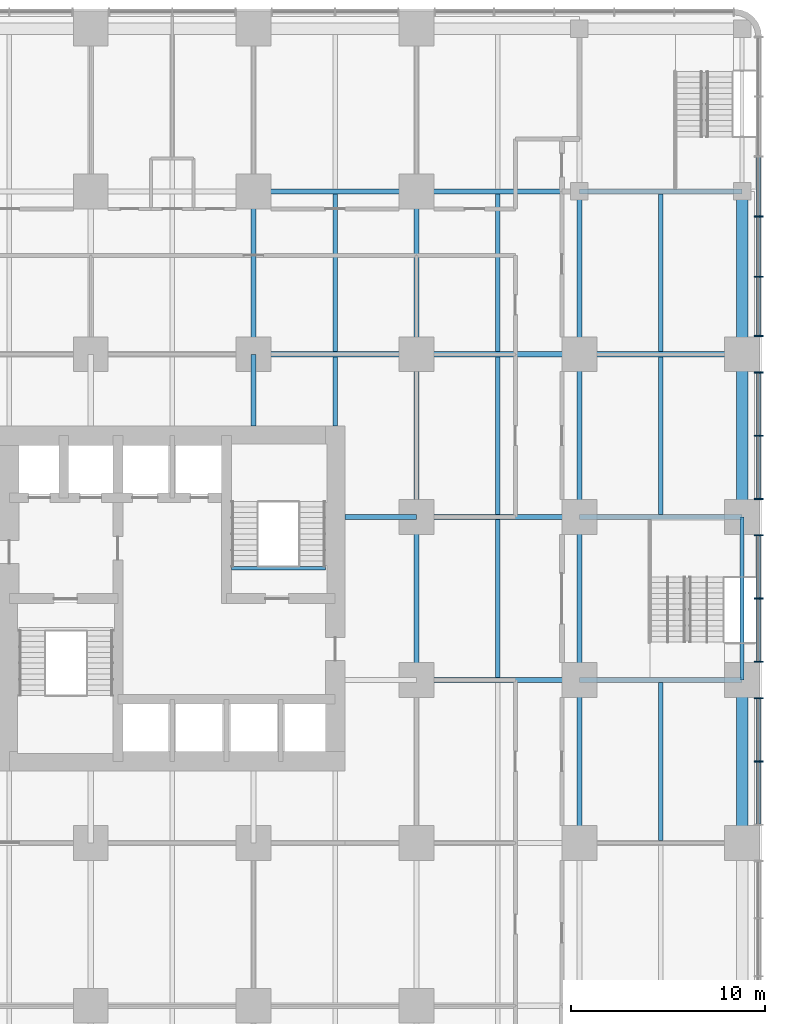
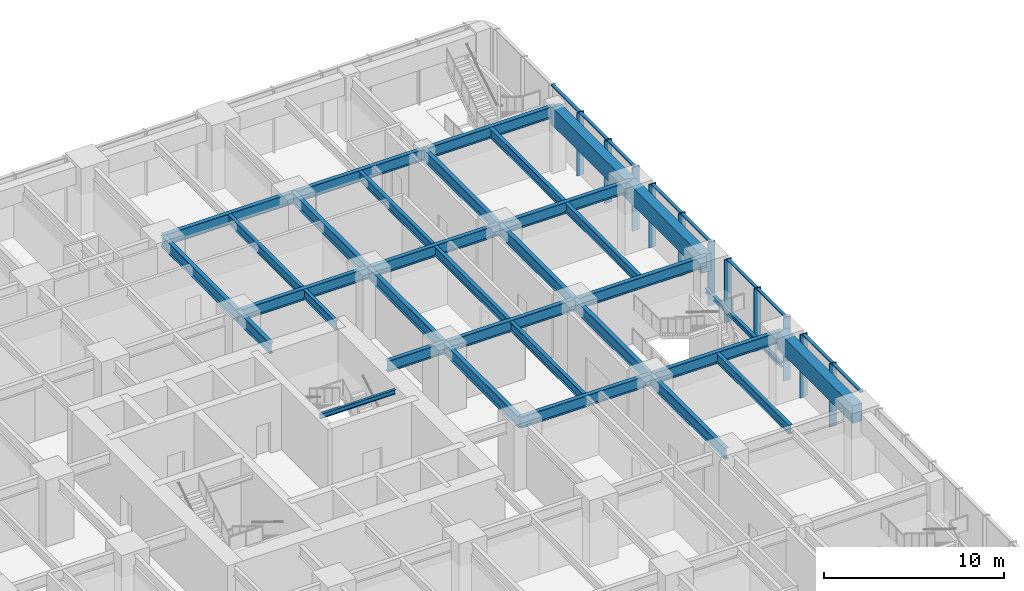
# One storey, part 6 of 20: 33 beams, 20 members, 1 element without a shape of its own.
"""IFC4 building model written with IfcOpenShell, lengths in metres."""

import ifcopenshell
import ifcopenshell.guid

model = None  # the IFC model being written
_history = None  # IfcOwnerHistory: only IFC2X3 demands one
_inside = {}  # id of a spatial element -> (the spatial element, [elements in it])
_under = {}  # id of a project, library or spatial element -> (it, [spatial elements below it])
_declared = {}  # id of a project -> (the project, [libraries it declares])
_typed = {}  # id of a type object -> (the type object, [elements of that type])
_made_of = {}  # id of a material, layer set ... -> (it, [elements and type objects made of it])


def new_model(schema):
    """Start an empty IFC model of exactly this schema.

    Asked for "IFC4X3", IfcOpenShell would pick the latest addendum, in which some entities
    have other attributes; the version numbers below select the first issue.
    IFC2X3 requires an IfcOwnerHistory on every rooted entity: one is made here for all.
    """
    global model, _history
    if schema == "IFC4X3":
        model = ifcopenshell.file(schema_version=(4, 3, 0, 0))
    else:
        model = ifcopenshell.file(schema=schema)
    _inside.clear()
    _under.clear()
    _declared.clear()
    _typed.clear()
    _made_of.clear()
    _history = None
    if model.schema == "IFC2X3":
        org = make("IfcOrganization", Name="unknown")
        user = make(
            "IfcPersonAndOrganization",
            ThePerson=make("IfcPerson", FamilyName="unknown"),
            TheOrganization=org,
        )
        app = make(
            "IfcApplication",
            ApplicationDeveloper=org,
            Version="unknown",
            ApplicationFullName="unknown",
            ApplicationIdentifier="unknown",
        )
        _history = make(
            "IfcOwnerHistory",
            OwningUser=user,
            OwningApplication=app,
            ChangeAction="ADDED",
            CreationDate=0,
        )
    return model


def make(cls, **values):
    """One entity of the class cls with the attributes given. An attribute that is None is left unset."""
    return model.create_entity(
        cls, **{name: value for name, value in values.items() if value is not None}
    )


def rooted(cls, **values):
    """An entity with a GlobalId (a new one), such as an element, a storey or a relation."""
    return make(cls, GlobalId=ifcopenshell.guid.new(), OwnerHistory=_history, **values)


def si_unit(unit_type, name, prefix=None):
    """IfcSIUnit, for example si_unit("LENGTHUNIT", "METRE", prefix="MILLI")."""
    return make("IfcSIUnit", UnitType=unit_type, Prefix=prefix, Name=name)


def assignment(units):
    """IfcUnitAssignment: the units of a project."""
    return None if units is None else make("IfcUnitAssignment", Units=units)


def point(xyz):
    """IfcCartesianPoint."""
    return None if xyz is None else make("IfcCartesianPoint", Coordinates=xyz)


def direction(xyz):
    """IfcDirection."""
    return None if xyz is None else make("IfcDirection", DirectionRatios=xyz)


def frame(location, z_axis=None, x_axis=None):
    """IfcAxis2Placement3D, a coordinate frame: its origin and axes. An axis left out is left unset."""
    return make(
        "IfcAxis2Placement3D",
        Location=point(location),
        Axis=direction(z_axis),
        RefDirection=direction(x_axis),
    )


def frame_2d(location, x_axis=None):
    """IfcAxis2Placement2D, a coordinate frame in the plane: its origin and x axis."""
    return make(
        "IfcAxis2Placement2D", Location=point(location), RefDirection=direction(x_axis)
    )


def origin():
    """The frame at (0, 0, 0) with its axes left unset."""
    return frame((0.0, 0.0, 0.0))


def origin_2d():
    """The frame at (0, 0) in the plane with its x axis left unset."""
    return frame_2d((0.0, 0.0))


def place(relative_to, where):
    """IfcLocalPlacement: puts the frame where relative to a parent placement (None: the world)."""
    return make(
        "IfcLocalPlacement", PlacementRelTo=relative_to, RelativePlacement=where
    )


def context(
    kind, dimensions, precision=None, world=None, true_north=None, identifier=None
):
    """IfcGeometricRepresentationContext, for example the 3D "Model" context."""
    return make(
        "IfcGeometricRepresentationContext",
        ContextIdentifier=identifier,
        ContextType=kind,
        CoordinateSpaceDimension=dimensions,
        Precision=precision,
        WorldCoordinateSystem=world,
        TrueNorth=true_north,
    )


def subcontext(parent, identifier, kind, view, scale=None):
    """IfcGeometricRepresentationSubContext, for example "Body" below "Model"."""
    return make(
        "IfcGeometricRepresentationSubContext",
        ContextIdentifier=identifier,
        ContextType=kind,
        ParentContext=parent,
        TargetScale=scale,
        TargetView=view,
    )


def project(units=None, contexts=None):
    """IfcProject with its units and contexts."""
    return rooted(
        "IfcProject",
        Name="project",
        RepresentationContexts=contexts,
        UnitsInContext=assignment(units),
    )


def spatial(cls, under=None, at=None, **own):
    """A site, building, storey or space (cls), placed at a placement, below another one or the project."""
    s = rooted(cls, ObjectPlacement=at, **own)
    if under is not None:
        _under.setdefault(under.id(), (under, []))[1].append(s)
    return s


def profile(cls, at=None, kind="AREA", **sizes):
    """A parametric profile (cls). Its sizes go by their IFC names, for example OverallWidth=200.0."""
    return make(cls, ProfileType=kind, Position=at, **sizes)


def rectangle(**sizes):
    """IfcRectangleProfileDef."""
    return profile("IfcRectangleProfileDef", **sizes)


def i_section(**sizes):
    """IfcIShapeProfileDef."""
    return profile("IfcIShapeProfileDef", **sizes)


def extrude(swept, where, along, depth):
    """IfcExtrudedAreaSolid: the profile swept, set in the frame where, extruded along a direction by depth."""
    return make(
        "IfcExtrudedAreaSolid",
        SweptArea=swept,
        Position=where,
        ExtrudedDirection=direction(along),
        Depth=depth,
    )


def shape(context_of_items, identifier, shape_type, items):
    """IfcShapeRepresentation: the items that make up one representation, for example the "Body"."""
    return make(
        "IfcShapeRepresentation",
        ContextOfItems=context_of_items,
        RepresentationIdentifier=identifier,
        RepresentationType=shape_type,
        Items=items,
    )


def material(Name=None, Category=None):
    """IfcMaterial."""
    return make("IfcMaterial", Name=Name, Category=Category)


def material_profile(
    of_material, cross_section, Name=None, Category=None, Priority=None
):
    """IfcMaterialProfile: a cross section and its material."""
    return make(
        "IfcMaterialProfile",
        Name=Name,
        Material=of_material,
        Profile=cross_section,
        Priority=Priority,
        Category=Category,
    )


def profile_set(profiles, Name=None, composite=None):
    """IfcMaterialProfileSet."""
    return make(
        "IfcMaterialProfileSet",
        Name=Name,
        MaterialProfiles=profiles,
        CompositeProfile=composite,
    )


def made_of(thing, what):
    """Note that an element or type object is made of a material, layer set ...; save() writes the relation."""
    if what is not None:
        _made_of.setdefault(what.id(), (what, []))[1].append(thing)
    return thing


def type_object(cls, material=None, **own):
    """A type object (cls), such as IfcWallType, which elements share."""
    return made_of(rooted(cls, **own), material)


def element(
    cls,
    number,
    at=None,
    inside=None,
    cuts=None,
    type_object=None,
    material=None,
    context=None,
    identifier="Body",
    shape_type=None,
    held_by="IfcProductDefinitionShape",
    body=None,
    shapes=None,
    **own,
):
    """One element of the class cls, such as IfcWall. Its Tag is "e" and its number.

    at: its placement. inside: the storey or other place that contains it. cuts: it is an
    opening in that element (IfcRelVoidsElement). A single representation is given by context,
    identifier, shape_type and body (its items); several are given by shapes. held_by: the class
    of the entity that holds the representations. save() writes the other relations.
    """
    e = rooted(cls, Tag="e%d" % number, ObjectPlacement=at, **own)
    if body is not None:
        shapes = [shape(context, identifier, shape_type, body)]
    if shapes is not None:
        e.Representation = make(held_by, Representations=shapes)
    if inside is not None:
        _inside.setdefault(inside.id(), (inside, []))[1].append(e)
    if cuts is not None:
        rooted(
            "IfcRelVoidsElement", RelatingBuildingElement=cuts, RelatedOpeningElement=e
        )
    if type_object is not None:
        _typed.setdefault(type_object.id(), (type_object, []))[1].append(e)
    return made_of(e, material)


def aggregate(whole, parts):
    """IfcRelAggregates: a whole, such as a stair, and the parts it consists of."""
    return rooted("IfcRelAggregates", RelatingObject=whole, RelatedObjects=parts)


def save(model, path):
    """Write the relations noted so far, then the file.

    IfcRelAggregates (storeys below a building ...), IfcRelContainedInSpatialStructure (elements
    in a storey), IfcRelDefinesByType, IfcRelAssociatesMaterial and IfcRelDeclares: one each for
    every whole, place, type object, material and project.
    """
    for whole, parts in _under.values():
        aggregate(whole, parts)
    for where, things in _inside.values():
        rooted(
            "IfcRelContainedInSpatialStructure",
            RelatedElements=things,
            RelatingStructure=where,
        )
    for kind, things in _typed.values():
        rooted("IfcRelDefinesByType", RelatedObjects=things, RelatingType=kind)
    for what, things in _made_of.values():
        rooted("IfcRelAssociatesMaterial", RelatedObjects=things, RelatingMaterial=what)
    for by, libraries in _declared.values():
        rooted("IfcRelDeclares", RelatingContext=by, RelatedDefinitions=libraries)
    model.write(path)


model = new_model("IFC4")

# Units and contexts
model_context = context("Model", 3, precision=1e-05, world=origin(), true_north=direction((0.0, 1.0)))
body_context = subcontext(model_context, "Body", "Model", "MODEL_VIEW")
ifc_project = project(units=[si_unit("LENGTHUNIT", "METRE"), si_unit("AREAUNIT", "SQUARE_METRE"), si_unit("VOLUMEUNIT", "CUBIC_METRE"), si_unit("PLANEANGLEUNIT", "RADIAN"), si_unit("MASSUNIT", "GRAM", prefix="KILO")], contexts=[model_context])

# Site, building, storey
site_placement = place(None, origin())
site = spatial("IfcSite", under=ifc_project, at=site_placement, CompositionType="ELEMENT")
building_placement = place(site_placement, origin())
building = spatial("IfcBuilding", under=site, at=building_placement, Name="Torre Alcanfor", CompositionType="ELEMENT")
storey_placement = place(building_placement, frame((0.0, 0.0, 10.5)))
storey = spatial("IfcBuildingStorey", under=building, at=storey_placement, Name="L02", CompositionType="ELEMENT", Elevation=10.5)

# Curtain wall, members
ifc_material_1 = material(Name="Aluminium and glass", Category="aluminium")
curtain_wall_type = type_object("IfcCurtainWallType", Name="CW-B unitised classroom glazing with vertical FIN", PredefinedType="NOTDEFINED", material=ifc_material_1)
curtain_wall_placement = place(storey_placement, origin())
curtain_wall = element("IfcCurtainWall", 1, at=curtain_wall_placement, inside=storey, type_object=curtain_wall_type, Name="Curtain wall CW-B L02 1", PredefinedType="NOTDEFINED")
ifc_material_2 = material(Name="Bronze anodised aluminium", Category="aluminium")
ifc_material_profile_1 = material_profile(ifc_material_2, rectangle(XDim=0.449951171875, YDim=0.06494140625, at=origin_2d()), Name="CW-B mullion 65x450")
ifc_profile_set_1 = profile_set([ifc_material_profile_1], Name="Bronze anodised aluminium")
member_type_1 = type_object("IfcMemberType", Name="CW-B mullion with vertical FIN 65x450", PredefinedType="MULLION", material=ifc_profile_set_1)
member_1_placement = place(storey_placement, frame((59.64990234375, 21.0, 0.0), z_axis=(0.0, 0.0, 1.0), x_axis=(-1.0, 0.0, 0.0)))
member_1 = element("IfcMember", 2, at=member_1_placement, type_object=member_type_1, Name="CW-B mullion 2.2", PredefinedType="MULLION", context=body_context, shape_type="SweptSolid", body=[
    extrude(rectangle(XDim=0.449951171875, YDim=0.06494140625, at=origin_2d()), origin(), (0.0, 0.0, 1.0), 4.300048828125),
])
member_2_placement = place(storey_placement, frame((59.64990234375, 24.262451171875, 0.0), z_axis=(0.0, 0.0, 1.0), x_axis=(-1.0, 0.0, 0.0)))
member_2 = element("IfcMember", 3, at=member_2_placement, type_object=member_type_1, Name="CW-B mullion 2.3", PredefinedType="MULLION", context=body_context, shape_type="SweptSolid", body=[
    extrude(rectangle(XDim=0.449951171875, YDim=0.06494140625, at=origin_2d()), origin(), (0.0, 0.0, 1.0), 4.300048828125),
])
member_3_placement = place(storey_placement, frame((59.64990234375, 26.137451171875, 0.0), z_axis=(0.0, 0.0, 1.0), x_axis=(-1.0, 0.0, 0.0)))
member_3 = element("IfcMember", 4, at=member_3_placement, type_object=member_type_1, Name="CW-B mullion 3.1", PredefinedType="MULLION", context=body_context, shape_type="SweptSolid", body=[
    extrude(rectangle(XDim=0.449951171875, YDim=0.06494140625, at=origin_2d()), origin(), (0.0, 0.0, 1.0), 4.300048828125),
])
member_4_placement = place(storey_placement, frame((59.64990234375, 29.39990234375, 0.0), z_axis=(0.0, 0.0, 1.0), x_axis=(-1.0, 0.0, 0.0)))
member_4 = element("IfcMember", 5, at=member_4_placement, type_object=member_type_1, Name="CW-B mullion 3.2", PredefinedType="MULLION", context=body_context, shape_type="SweptSolid", body=[
    extrude(rectangle(XDim=0.449951171875, YDim=0.06494140625, at=origin_2d()), origin(), (0.0, 0.0, 1.0), 4.300048828125),
])
member_5_placement = place(storey_placement, frame((59.64990234375, 32.66259765625, 0.0), z_axis=(0.0, 0.0, 1.0), x_axis=(-1.0, 0.0, 0.0)))
member_5 = element("IfcMember", 6, at=member_5_placement, type_object=member_type_1, Name="CW-B mullion 3.3", PredefinedType="MULLION", context=body_context, shape_type="SweptSolid", body=[
    extrude(rectangle(XDim=0.449951171875, YDim=0.06494140625, at=origin_2d()), origin(), (0.0, 0.0, 1.0), 4.300048828125),
])
member_6_placement = place(storey_placement, frame((59.64990234375, 34.53759765625, 0.0), z_axis=(0.0, 0.0, 1.0), x_axis=(-1.0, 0.0, 0.0)))
member_6 = element("IfcMember", 7, at=member_6_placement, type_object=member_type_1, Name="CW-B mullion 4.1", PredefinedType="MULLION", context=body_context, shape_type="SweptSolid", body=[
    extrude(rectangle(XDim=0.449951171875, YDim=0.06494140625, at=origin_2d()), origin(), (0.0, 0.0, 1.0), 4.300048828125),
])
member_7_placement = place(storey_placement, frame((59.64990234375, 37.800048828125, 0.0), z_axis=(0.0, 0.0, 1.0), x_axis=(-1.0, 0.0, 0.0)))
member_7 = element("IfcMember", 8, at=member_7_placement, type_object=member_type_1, Name="CW-B mullion 4.2", PredefinedType="MULLION", context=body_context, shape_type="SweptSolid", body=[
    extrude(rectangle(XDim=0.449951171875, YDim=0.06494140625, at=origin_2d()), origin(), (0.0, 0.0, 1.0), 4.300048828125),
])
member_8_placement = place(storey_placement, frame((59.64990234375, 41.0625, 0.0), z_axis=(0.0, 0.0, 1.0), x_axis=(-1.0, 0.0, 0.0)))
member_8 = element("IfcMember", 9, at=member_8_placement, type_object=member_type_1, Name="CW-B mullion 4.3", PredefinedType="MULLION", context=body_context, shape_type="SweptSolid", body=[
    extrude(rectangle(XDim=0.449951171875, YDim=0.06494140625, at=origin_2d()), origin(), (0.0, 0.0, 1.0), 4.300048828125),
])
member_9_placement = place(storey_placement, frame((59.64990234375, 42.9375, 0.0), z_axis=(0.0, 0.0, 1.0), x_axis=(-1.0, 0.0, 0.0)))
member_9 = element("IfcMember", 10, at=member_9_placement, type_object=member_type_1, Name="CW-B mullion 5.1", PredefinedType="MULLION", context=body_context, shape_type="SweptSolid", body=[
    extrude(rectangle(XDim=0.449951171875, YDim=0.06494140625, at=origin_2d()), origin(), (0.0, 0.0, 1.0), 4.300048828125),
])
member_10_placement = place(storey_placement, frame((59.64990234375, 46.00390625, 0.0), z_axis=(0.0, 0.0, 1.0), x_axis=(-1.0, 0.0, 0.0)))
member_10 = element("IfcMember", 11, at=member_10_placement, type_object=member_type_1, Name="CW-B mullion 5.2", PredefinedType="MULLION", context=body_context, shape_type="SweptSolid", body=[
    extrude(rectangle(XDim=0.449951171875, YDim=0.06494140625, at=origin_2d()), origin(), (0.0, 0.0, 1.0), 4.300048828125),
])
member_11_placement = place(storey_placement, frame((59.64990234375, 49.10302734375, 0.0), z_axis=(0.0, 0.0, 1.0), x_axis=(-1.0, 0.0, 0.0)))
member_11 = element("IfcMember", 12, at=member_11_placement, type_object=member_type_1, Name="CW-B mullion 5.3", PredefinedType="MULLION", context=body_context, shape_type="SweptSolid", body=[
    extrude(rectangle(XDim=0.449951171875, YDim=0.06494140625, at=origin_2d()), origin(), (0.0, 0.0, 1.0), 4.300048828125),
])
ifc_material_3 = material(Name="Extruded aluminium", Category="aluminium")
ifc_material_profile_2 = material_profile(ifc_material_3, rectangle(XDim=0.199951171875, YDim=0.06494140625, at=origin_2d()), Name="CW-B transom 200x65")
ifc_profile_set_2 = profile_set([ifc_material_profile_2], Name="Extruded aluminium")
member_type_2 = type_object("IfcMemberType", Name="CW-B transom 65x200", PredefinedType="USERDEFINED", material=ifc_profile_set_2)
member_12_placement = place(storey_placement, frame((59.64990234375, 17.77001953125, 4.267578125), z_axis=(0.0, 1.0, 0.0), x_axis=(-1.0, 0.0, 0.0)))
member_12 = element("IfcMember", 13, at=member_12_placement, type_object=member_type_2, Name="CW-B transom 2.1.2", ObjectType="TRANSOM", PredefinedType="USERDEFINED", context=body_context, shape_type="SweptSolid", body=[
    extrude(rectangle(XDim=0.199951171875, YDim=0.06494140625, at=origin_2d()), origin(), (0.0, 0.0, 1.0), 3.197509765625),
])
member_13_placement = place(storey_placement, frame((59.64990234375, 21.032470703125, 4.267578125), z_axis=(0.0, 1.0, 0.0), x_axis=(-1.0, 0.0, 0.0)))
member_13 = element("IfcMember", 14, at=member_13_placement, type_object=member_type_2, Name="CW-B transom 2.2.2", ObjectType="TRANSOM", PredefinedType="USERDEFINED", context=body_context, shape_type="SweptSolid", body=[
    extrude(rectangle(XDim=0.199951171875, YDim=0.06494140625, at=origin_2d()), origin(), (0.0, 0.0, 1.0), 3.197509765625),
])
member_14_placement = place(storey_placement, frame((59.64990234375, 26.169921875, 4.267578125), z_axis=(0.0, 1.0, 0.0), x_axis=(-1.0, 0.0, 0.0)))
member_14 = element("IfcMember", 15, at=member_14_placement, type_object=member_type_2, Name="CW-B transom 3.1.2", ObjectType="TRANSOM", PredefinedType="USERDEFINED", context=body_context, shape_type="SweptSolid", body=[
    extrude(rectangle(XDim=0.199951171875, YDim=0.06494140625, at=origin_2d()), origin(), (0.0, 0.0, 1.0), 3.197509765625),
])
member_15_placement = place(storey_placement, frame((59.64990234375, 29.4326171875, 4.267578125), z_axis=(0.0, 1.0, 0.0), x_axis=(-1.0, 0.0, 0.0)))
member_15 = element("IfcMember", 16, at=member_15_placement, type_object=member_type_2, Name="CW-B transom 3.2.2", ObjectType="TRANSOM", PredefinedType="USERDEFINED", context=body_context, shape_type="SweptSolid", body=[
    extrude(rectangle(XDim=0.199951171875, YDim=0.06494140625, at=origin_2d()), origin(), (0.0, 0.0, 1.0), 3.197265625),
])
member_16_placement = place(storey_placement, frame((59.64990234375, 34.570068359375, 4.267578125), z_axis=(0.0, 1.0, 0.0), x_axis=(-1.0, 0.0, 0.0)))
member_16 = element("IfcMember", 17, at=member_16_placement, type_object=member_type_2, Name="CW-B transom 4.1.2", ObjectType="TRANSOM", PredefinedType="USERDEFINED", context=body_context, shape_type="SweptSolid", body=[
    extrude(rectangle(XDim=0.199951171875, YDim=0.06494140625, at=origin_2d()), origin(), (0.0, 0.0, 1.0), 3.197509765625),
])
member_17_placement = place(storey_placement, frame((59.64990234375, 37.83251953125, 4.267578125), z_axis=(0.0, 1.0, 0.0), x_axis=(-1.0, 0.0, 0.0)))
member_17 = element("IfcMember", 18, at=member_17_placement, type_object=member_type_2, Name="CW-B transom 4.2.2", ObjectType="TRANSOM", PredefinedType="USERDEFINED", context=body_context, shape_type="SweptSolid", body=[
    extrude(rectangle(XDim=0.199951171875, YDim=0.06494140625, at=origin_2d()), origin(), (0.0, 0.0, 1.0), 3.197509765625),
])
member_18_placement = place(storey_placement, frame((59.64990234375, 42.969970703125, 4.267578125), z_axis=(0.0, 1.0, 0.0), x_axis=(-1.0, 0.0, 0.0)))
member_18 = element("IfcMember", 19, at=member_18_placement, type_object=member_type_2, Name="CW-B transom 5.1.2", ObjectType="TRANSOM", PredefinedType="USERDEFINED", context=body_context, shape_type="SweptSolid", body=[
    extrude(rectangle(XDim=0.199951171875, YDim=0.06494140625, at=origin_2d()), origin(), (0.0, 0.0, 1.0), 3.00146484375),
])
member_19_placement = place(storey_placement, frame((59.64990234375, 46.03662109375, 4.267578125), z_axis=(0.0, 1.0, 0.0), x_axis=(-1.0, 0.0, 0.0)))
member_19 = element("IfcMember", 20, at=member_19_placement, type_object=member_type_2, Name="CW-B transom 5.2.2", ObjectType="TRANSOM", PredefinedType="USERDEFINED", context=body_context, shape_type="SweptSolid", body=[
    extrude(rectangle(XDim=0.199951171875, YDim=0.06494140625, at=origin_2d()), origin(), (0.0, 0.0, 1.0), 3.033935546875),
])
member_20_placement = place(storey_placement, frame((59.64990234375, 49.135498046875, 4.267578125), z_axis=(0.0, 1.0, 0.0), x_axis=(-1.0, 0.0, 0.0)))
member_20 = element("IfcMember", 21, at=member_20_placement, type_object=member_type_2, Name="CW-B transom 5.3.2", ObjectType="TRANSOM", PredefinedType="USERDEFINED", context=body_context, shape_type="SweptSolid", body=[
    extrude(rectangle(XDim=0.199951171875, YDim=0.06494140625, at=origin_2d()), origin(), (0.0, 0.0, 1.0), 3.033935546875),
])
aggregate(curtain_wall, [member_1, member_2, member_12, member_13, member_3, member_4, member_5, member_14, member_15, member_6, member_7, member_8, member_16, member_17, member_9, member_10, member_11, member_18, member_19, member_20])

# Beams
ifc_material_4 = material(Name="Steel ASTM A992 Grade 50", Category="steel")
ifc_material_profile_3 = material_profile(ifc_material_4, i_section(OverallWidth=0.2666015625, OverallDepth=0.7568359375, WebThickness=0.013916015625, FlangeThickness=0.019287109375, at=origin_2d()), Name="W30x108")
ifc_profile_set_3 = profile_set([ifc_material_profile_3], Name="Steel ASTM A992 Grade 50")
beam_type_1 = type_object("IfcBeamType", Name="Girder W30x108", PredefinedType="BEAM", material=ifc_profile_set_3)
beam_1_placement = place(storey_placement, frame((42.0, 25.199951171875, 3.921630859375), z_axis=(1.0, 0.0, 0.0), x_axis=(0.0, 1.0, 0.0)))
element("IfcBeam", 22, at=beam_1_placement, inside=storey, type_object=beam_type_1, Name="Beam 6F-7F under L03", PredefinedType="BEAM", context=body_context, shape_type="SweptSolid", body=[
    extrude(i_section(OverallWidth=0.2666015625, OverallDepth=0.7568359375, WebThickness=0.013916015625, FlangeThickness=0.019287109375, at=origin_2d()), origin(), (0.0, 0.0, 1.0), 8.39990234375),
])
beam_2_placement = place(storey_placement, frame((50.39990234375, 25.199951171875, 3.921630859375), z_axis=(1.0, 0.0, 0.0), x_axis=(0.0, 1.0, 0.0)))
element("IfcBeam", 23, at=beam_2_placement, inside=storey, type_object=beam_type_1, Name="Beam 7F-8F under L03", PredefinedType="BEAM", context=body_context, shape_type="SweptSolid", body=[
    extrude(i_section(OverallWidth=0.2666015625, OverallDepth=0.7568359375, WebThickness=0.013916015625, FlangeThickness=0.019287109375, at=origin_2d()), origin(), (0.0, 0.0, 1.0), 8.400146484375),
])
beam_3_placement = place(storey_placement, frame((42.0, 33.60009765625, 3.921630859375), z_axis=(1.0, 0.0, 0.0), x_axis=(0.0, 1.0, 0.0)))
element("IfcBeam", 24, at=beam_3_placement, inside=storey, type_object=beam_type_1, Name="Beam 6G-7G under L03", PredefinedType="BEAM", context=body_context, shape_type="SweptSolid", body=[
    extrude(i_section(OverallWidth=0.2666015625, OverallDepth=0.7568359375, WebThickness=0.013916015625, FlangeThickness=0.019287109375, at=origin_2d()), origin(), (0.0, 0.0, 1.0), 8.39990234375),
])
beam_4_placement = place(storey_placement, frame((50.39990234375, 33.60009765625, 3.921630859375), z_axis=(1.0, 0.0, 0.0), x_axis=(0.0, 1.0, 0.0)))
element("IfcBeam", 25, at=beam_4_placement, inside=storey, type_object=beam_type_1, Name="Beam 7G-8G under L03", PredefinedType="BEAM", context=body_context, shape_type="SweptSolid", body=[
    extrude(i_section(OverallWidth=0.2666015625, OverallDepth=0.7568359375, WebThickness=0.013916015625, FlangeThickness=0.019287109375, at=origin_2d()), origin(), (0.0, 0.0, 1.0), 8.400146484375),
])
for number, where, z_axis, x_axis, name in (
    (26, (33.60009765625, 42.0, 3.921630859375), (1.0, 0.0, 0.0), (0.0, 1.0, 0.0), "Beam 5H-6H under L03"),
    (27, (42.0, 42.0, 3.921630859375), (1.0, 0.0, 0.0), (0.0, 1.0, 0.0), "Beam 6H-7H under L03"),
):
    element("IfcBeam", number, at=place(storey_placement, frame(where, z_axis=z_axis, x_axis=x_axis)), inside=storey, type_object=beam_type_1, Name=name, PredefinedType="BEAM", context=body_context, shape_type="SweptSolid", body=[
        extrude(i_section(OverallWidth=0.2666015625, OverallDepth=0.7568359375, WebThickness=0.013916015625, FlangeThickness=0.019287109375, at=origin_2d()), origin(), (0.0, 0.0, 1.0), 8.39990234375),
    ])
beam_5_placement = place(storey_placement, frame((50.39990234375, 42.0, 3.921630859375), z_axis=(1.0, 0.0, 0.0), x_axis=(0.0, 1.0, 0.0)))
element("IfcBeam", 28, at=beam_5_placement, inside=storey, type_object=beam_type_1, Name="Beam 7H-8H under L03", PredefinedType="BEAM", context=body_context, shape_type="SweptSolid", body=[
    extrude(i_section(OverallWidth=0.2666015625, OverallDepth=0.7568359375, WebThickness=0.013916015625, FlangeThickness=0.019287109375, at=origin_2d()), origin(), (0.0, 0.0, 1.0), 8.400146484375),
])
for number, where, z_axis, x_axis, name in (
    (29, (33.60009765625, 50.39990234375, 3.921630859375), (1.0, 0.0, 0.0), (0.0, 1.0, 0.0), "Beam 5J-6J under L03"),
    (30, (42.0, 50.39990234375, 3.921630859375), (1.0, 0.0, 0.0), (0.0, 1.0, 0.0), "Beam 6J-7J under L03"),
):
    element("IfcBeam", number, at=place(storey_placement, frame(where, z_axis=z_axis, x_axis=x_axis)), inside=storey, type_object=beam_type_1, Name=name, PredefinedType="BEAM", context=body_context, shape_type="SweptSolid", body=[
        extrude(i_section(OverallWidth=0.2666015625, OverallDepth=0.7568359375, WebThickness=0.013916015625, FlangeThickness=0.019287109375, at=origin_2d()), origin(), (0.0, 0.0, 1.0), 8.39990234375),
    ])
beam_6_placement = place(storey_placement, frame((50.39990234375, 50.39990234375, 3.921630859375), z_axis=(1.0, 0.0, 0.0), x_axis=(0.0, 1.0, 0.0)))
element("IfcBeam", 31, at=beam_6_placement, inside=storey, type_object=beam_type_1, Name="Beam 7J-8J under L03", PredefinedType="BEAM", context=body_context, shape_type="SweptSolid", body=[
    extrude(i_section(OverallWidth=0.2666015625, OverallDepth=0.7568359375, WebThickness=0.013916015625, FlangeThickness=0.019287109375, at=origin_2d()), origin(), (0.0, 0.0, 1.0), 8.400146484375),
])
beam_7_placement = place(storey_placement, frame((33.60009765625, 42.0, 3.921630859375), z_axis=(0.0, 1.0, 0.0), x_axis=(-1.0, 0.0, 0.0)))
element("IfcBeam", 32, at=beam_7_placement, inside=storey, type_object=beam_type_1, Name="Beam 5H-5J under L03", PredefinedType="BEAM", context=body_context, shape_type="SweptSolid", body=[
    extrude(i_section(OverallWidth=0.2666015625, OverallDepth=0.7568359375, WebThickness=0.013916015625, FlangeThickness=0.019287109375, at=origin_2d()), origin(), (0.0, 0.0, 1.0), 8.39990234375),
])
beam_8_placement = place(storey_placement, frame((42.0, 25.199951171875, 3.921630859375), z_axis=(0.0, 1.0, 0.0), x_axis=(-1.0, 0.0, 0.0)))
element("IfcBeam", 33, at=beam_8_placement, inside=storey, type_object=beam_type_1, Name="Beam 6F-6G under L03", PredefinedType="BEAM", context=body_context, shape_type="SweptSolid", body=[
    extrude(i_section(OverallWidth=0.2666015625, OverallDepth=0.7568359375, WebThickness=0.013916015625, FlangeThickness=0.019287109375, at=origin_2d()), origin(), (0.0, 0.0, 1.0), 8.400146484375),
])
for number, where, z_axis, x_axis, name in (
    (34, (42.0, 33.60009765625, 3.921630859375), (0.0, 1.0, 0.0), (-1.0, 0.0, 0.0), "Beam 6G-6H under L03"),
    (35, (42.0, 42.0, 3.921630859375), (0.0, 1.0, 0.0), (-1.0, 0.0, 0.0), "Beam 6H-6J under L03"),
    (36, (50.39990234375, 16.800048828125, 3.921630859375), (0.0, 1.0, 0.0), (-1.0, 0.0, 0.0), "Beam 7E-7F under L03"),
):
    element("IfcBeam", number, at=place(storey_placement, frame(where, z_axis=z_axis, x_axis=x_axis)), inside=storey, type_object=beam_type_1, Name=name, PredefinedType="BEAM", context=body_context, shape_type="SweptSolid", body=[
        extrude(i_section(OverallWidth=0.2666015625, OverallDepth=0.7568359375, WebThickness=0.013916015625, FlangeThickness=0.019287109375, at=origin_2d()), origin(), (0.0, 0.0, 1.0), 8.39990234375),
    ])
beam_9_placement = place(storey_placement, frame((50.39990234375, 25.199951171875, 3.921630859375), z_axis=(0.0, 1.0, 0.0), x_axis=(-1.0, 0.0, 0.0)))
element("IfcBeam", 37, at=beam_9_placement, inside=storey, type_object=beam_type_1, Name="Beam 7F-7G under L03", PredefinedType="BEAM", context=body_context, shape_type="SweptSolid", body=[
    extrude(i_section(OverallWidth=0.2666015625, OverallDepth=0.7568359375, WebThickness=0.013916015625, FlangeThickness=0.019287109375, at=origin_2d()), origin(), (0.0, 0.0, 1.0), 8.400146484375),
])
for number, where, z_axis, x_axis, name in (
    (38, (50.39990234375, 33.60009765625, 3.921630859375), (0.0, 1.0, 0.0), (-1.0, 0.0, 0.0), "Beam 7G-7H under L03"),
    (39, (50.39990234375, 42.0, 3.921630859375), (0.0, 1.0, 0.0), (-1.0, 0.0, 0.0), "Beam 7H-7J under L03"),
):
    element("IfcBeam", number, at=place(storey_placement, frame(where, z_axis=z_axis, x_axis=x_axis)), inside=storey, type_object=beam_type_1, Name=name, PredefinedType="BEAM", context=body_context, shape_type="SweptSolid", body=[
        extrude(i_section(OverallWidth=0.2666015625, OverallDepth=0.7568359375, WebThickness=0.013916015625, FlangeThickness=0.019287109375, at=origin_2d()), origin(), (0.0, 0.0, 1.0), 8.39990234375),
    ])
ifc_material_5 = material(Name="Steel ASTM A992 Grade 50", Category="steel")
ifc_material_profile_4 = material_profile(ifc_material_5, i_section(OverallWidth=0.2666015625, OverallDepth=0.7568359375, WebThickness=0.013916015625, FlangeThickness=0.019287109375, at=origin_2d()), Name="W30x108")
ifc_profile_set_4 = profile_set([ifc_material_profile_4], Name="Steel ASTM A992 Grade 50")
beam_type_2 = type_object("IfcBeamType", Name="Girder, part bay W30x108", PredefinedType="BEAM", material=ifc_profile_set_4)
for number, where, z_axis, x_axis, name in (
    (40, (33.60009765625, 42.0, 3.921630859375), (0.0, -1.0, 0.0), (1.0, 0.0, 0.0), "Beam 5H-538_3 under L03"),
    (41, (42.0, 33.60009765625, 3.921630859375), (-1.0, 0.0, 0.0), (0.0, -1.0, 0.0), "Beam 6G-38_3G under L03"),
):
    element("IfcBeam", number, at=place(storey_placement, frame(where, z_axis=z_axis, x_axis=x_axis)), inside=storey, type_object=beam_type_2, Name=name, PredefinedType="BEAM", context=body_context, shape_type="SweptSolid", body=[
        extrude(i_section(OverallWidth=0.2666015625, OverallDepth=0.7568359375, WebThickness=0.013916015625, FlangeThickness=0.019287109375, at=origin_2d()), origin(), (0.0, 0.0, 1.0), 3.699951171875),
    ])
ifc_material_6 = material(Name="Concrete f'c 70 MPa", Category="concrete")
ifc_material_profile_5 = material_profile(ifc_material_6, rectangle(XDim=0.60009765625, YDim=1.199951171875, at=origin_2d()), Name="600x1200")
ifc_profile_set_5 = profile_set([ifc_material_profile_5], Name="Concrete f'c 70 MPa")
beam_type_3 = type_object("IfcBeamType", Name="RC perimeter beam 600x1200", PredefinedType="BEAM", material=ifc_profile_set_5)
for number, where, z_axis, x_axis, name in (
    (42, (58.800048828125, 16.800048828125, 3.699951171875), (0.0, 1.0, 0.0), (-1.0, 0.0, 0.0), "Beam 8E-8F under L03"),
    (43, (58.800048828125, 33.60009765625, 3.699951171875), (0.0, 1.0, 0.0), (-1.0, 0.0, 0.0), "Beam 8G-8H under L03"),
    (44, (58.800048828125, 42.0, 3.699951171875), (0.0, 1.0, 0.0), (-1.0, 0.0, 0.0), "Beam 8H-8J under L03"),
):
    element("IfcBeam", number, at=place(storey_placement, frame(where, z_axis=z_axis, x_axis=x_axis)), inside=storey, type_object=beam_type_3, Name=name, PredefinedType="BEAM", context=body_context, shape_type="SweptSolid", body=[
        extrude(rectangle(XDim=0.60009765625, YDim=1.199951171875, at=origin_2d()), origin(), (0.0, 0.0, 1.0), 8.39990234375),
    ])
ifc_material_7 = material(Name="Steel ASTM A992 Grade 50", Category="steel")
ifc_material_profile_6 = material_profile(ifc_material_7, i_section(OverallWidth=0.203369140625, OverallDepth=0.30224609375, WebThickness=0.007568359375, FlangeThickness=0.01318359375, at=origin_2d()), Name="W12x40")
ifc_profile_set_6 = profile_set([ifc_material_profile_6], Name="Steel ASTM A992 Grade 50")
beam_type_4 = type_object("IfcBeamType", Name="School stair landing beam W12x40", PredefinedType="BEAM", material=ifc_profile_set_6)
beam_10_placement = place(storey_placement, frame((58.800048828125, 25.199951171875, 1.89892578125), z_axis=(0.0, 1.0, 0.0), x_axis=(-1.0, 0.0, 0.0)))
element("IfcBeam", 45, at=beam_10_placement, inside=storey, type_object=beam_type_4, Name="Landing beam SS2 L02", PredefinedType="BEAM", context=body_context, shape_type="SweptSolid", body=[
    extrude(i_section(OverallWidth=0.203369140625, OverallDepth=0.30224609375, WebThickness=0.007568359375, FlangeThickness=0.01318359375, at=origin_2d()), origin(), (0.0, 0.0, 1.0), 8.400146484375),
])
ifc_material_8 = material(Name="Steel ASTM A992 Grade 50", Category="steel")
ifc_material_profile_7 = material_profile(ifc_material_8, i_section(OverallWidth=0.22900390625, OverallDepth=0.612060546875, WebThickness=0.011962890625, FlangeThickness=0.01953125, at=origin_2d()), Name="W24x84")
ifc_profile_set_7 = profile_set([ifc_material_profile_7], Name="Steel ASTM A992 Grade 50")
beam_type_5 = type_object("IfcBeamType", Name="Secondary beam W24x84", PredefinedType="BEAM", material=ifc_profile_set_7)
for number, where, z_axis, x_axis, name in (
    (46, (37.800048828125, 42.133056640625, 3.993896484375), (0.0, 1.0, 0.0), (-1.0, 0.0, 0.0), "Beam 37_8H-37_8J under L03"),
    (47, (46.199951171875, 25.3330078125, 3.993896484375), (0.0, 1.0, 0.0), (-1.0, 0.0, 0.0), "Beam 46_2F-46_2G under L03"),
    (48, (46.199951171875, 33.73291015625, 3.993896484375), (0.0, 1.0, 0.0), (-1.0, 0.0, 0.0), "Beam 46_2G-46_2H under L03"),
    (49, (46.199951171875, 42.133056640625, 3.993896484375), (0.0, 1.0, 0.0), (-1.0, 0.0, 0.0), "Beam 46_2H-46_2J under L03"),
):
    element("IfcBeam", number, at=place(storey_placement, frame(where, z_axis=z_axis, x_axis=x_axis)), inside=storey, type_object=beam_type_5, Name=name, PredefinedType="BEAM", context=body_context, shape_type="SweptSolid", body=[
        extrude(i_section(OverallWidth=0.22900390625, OverallDepth=0.612060546875, WebThickness=0.011962890625, FlangeThickness=0.01953125, at=origin_2d()), origin(), (0.0, 0.0, 1.0), 8.134033203125),
    ])
beam_11_placement = place(storey_placement, frame((54.60009765625, 16.93310546875, 3.993896484375), z_axis=(0.0, 1.0, 0.0), x_axis=(-1.0, 0.0, 0.0)))
element("IfcBeam", 50, at=beam_11_placement, inside=storey, type_object=beam_type_5, Name="Beam 54_6E-54_6F under L03", PredefinedType="BEAM", context=body_context, shape_type="SweptSolid", body=[
    extrude(i_section(OverallWidth=0.22900390625, OverallDepth=0.612060546875, WebThickness=0.011962890625, FlangeThickness=0.01953125, at=origin_2d()), origin(), (0.0, 0.0, 1.0), 8.1337890625),
])
for number, where, z_axis, x_axis, name in (
    (51, (54.60009765625, 33.73291015625, 3.993896484375), (0.0, 1.0, 0.0), (-1.0, 0.0, 0.0), "Beam 54_6G-54_6H under L03"),
    (52, (54.60009765625, 42.133056640625, 3.993896484375), (0.0, 1.0, 0.0), (-1.0, 0.0, 0.0), "Beam 54_6H-54_6J under L03"),
):
    element("IfcBeam", number, at=place(storey_placement, frame(where, z_axis=z_axis, x_axis=x_axis)), inside=storey, type_object=beam_type_5, Name=name, PredefinedType="BEAM", context=body_context, shape_type="SweptSolid", body=[
        extrude(i_section(OverallWidth=0.22900390625, OverallDepth=0.612060546875, WebThickness=0.011962890625, FlangeThickness=0.01953125, at=origin_2d()), origin(), (0.0, 0.0, 1.0), 8.134033203125),
    ])
ifc_material_9 = material(Name="Steel ASTM A992 Grade 50", Category="steel")
ifc_material_profile_8 = material_profile(ifc_material_9, i_section(OverallWidth=0.22900390625, OverallDepth=0.612060546875, WebThickness=0.011962890625, FlangeThickness=0.01953125, at=origin_2d()), Name="W24x84")
ifc_profile_set_8 = profile_set([ifc_material_profile_8], Name="Steel ASTM A992 Grade 50")
beam_type_6 = type_object("IfcBeamType", Name="Secondary beam, part bay W24x84", PredefinedType="BEAM", material=ifc_profile_set_8)
beam_12_placement = place(storey_placement, frame((37.800048828125, 38.300048828125, 3.993896484375), z_axis=(0.0, 1.0, 0.0), x_axis=(-1.0, 0.0, 0.0)))
element("IfcBeam", 53, at=beam_12_placement, inside=storey, type_object=beam_type_6, Name="Beam 37_838_3-37_8H under L03", PredefinedType="BEAM", context=body_context, shape_type="SweptSolid", body=[
    extrude(i_section(OverallWidth=0.22900390625, OverallDepth=0.612060546875, WebThickness=0.011962890625, FlangeThickness=0.01953125, at=origin_2d()), origin(), (0.0, 0.0, 1.0), 3.56689453125),
])
ifc_material_10 = material(Name="Steel ASTM A992 Grade 50", Category="steel")
ifc_material_profile_9 = material_profile(ifc_material_10, i_section(OverallWidth=0.164794921875, OverallDepth=0.309814453125, WebThickness=0.005859375, FlangeThickness=0.009765625, at=origin_2d()), Name="W12x26")
ifc_profile_set_9 = profile_set([ifc_material_profile_9], Name="Steel ASTM A992 Grade 50")
beam_type_7 = type_object("IfcBeamType", Name="Stair landing beam W12x26", PredefinedType="BEAM", material=ifc_profile_set_9)
beam_13_placement = place(storey_placement, frame((32.449951171875, 30.962646484375, 4.14501953125), z_axis=(1.0, 0.0, 0.0), x_axis=(0.0, 1.0, 0.0)))
element("IfcBeam", 54, at=beam_13_placement, inside=storey, type_object=beam_type_7, Name="Landing trimmer S2 L03", PredefinedType="BEAM", context=body_context, shape_type="SweptSolid", body=[
    extrude(i_section(OverallWidth=0.164794921875, OverallDepth=0.309814453125, WebThickness=0.005859375, FlangeThickness=0.009765625, at=origin_2d()), origin(), (0.0, 0.0, 1.0), 4.85009765625),
])

save(model, "model.ifc")
